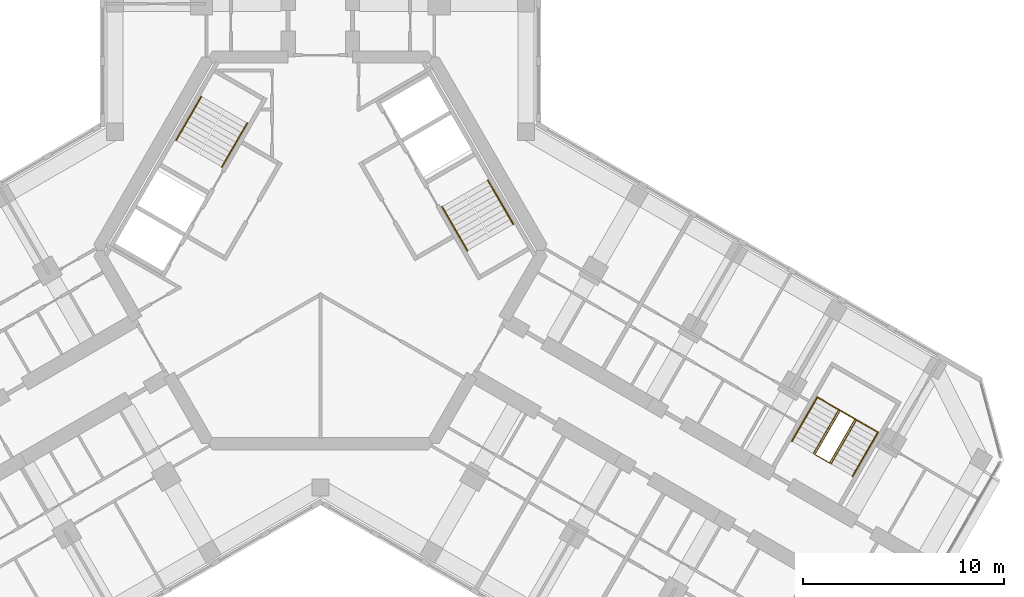
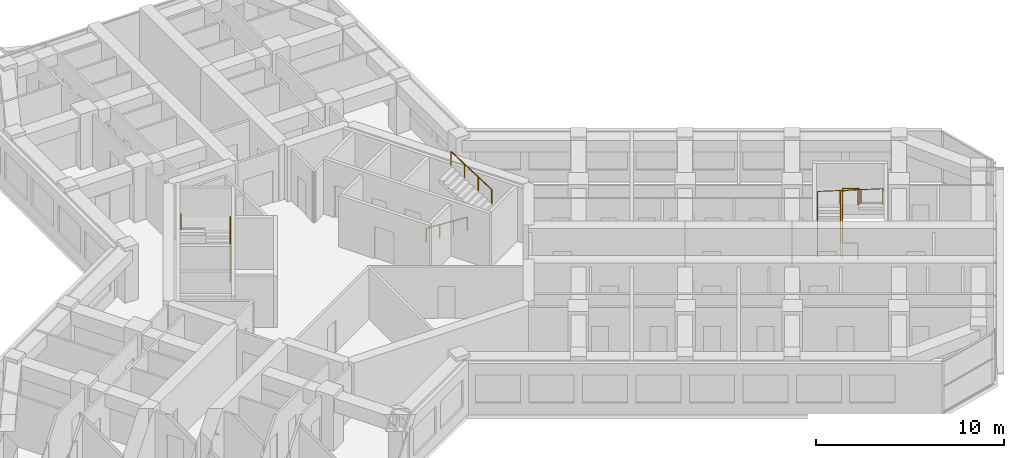
# One storey, part 16 of 16: 7 railings.
"""IFC4 building model written with IfcOpenShell, lengths in metres."""

from ifc_helpers import new_model, si_unit, direction, frame, origin, origin_2d, place, context, subcontext, project, spatial, circle, extrude, material, type_object, element, save


model = new_model("IFC4")

# Units and contexts
model_context = context("Model", 3, precision=1e-05, world=origin(), true_north=direction((0.0, 1.0)))
body_context = subcontext(model_context, "Body", "Model", "MODEL_VIEW")
ifc_project = project(units=[si_unit("LENGTHUNIT", "METRE"), si_unit("AREAUNIT", "SQUARE_METRE"), si_unit("VOLUMEUNIT", "CUBIC_METRE"), si_unit("PLANEANGLEUNIT", "RADIAN"), si_unit("MASSUNIT", "GRAM", prefix="KILO")], contexts=[model_context])

# Site, building, storey
site_placement = place(None, origin())
site = spatial("IfcSite", under=ifc_project, at=site_placement, CompositionType="ELEMENT")
building_placement = place(site_placement, origin())
building = spatial("IfcBuilding", under=site, at=building_placement, Name="Kosmar Iwan School Tower", CompositionType="ELEMENT")
storey_placement = place(building_placement, frame((0.0, 0.0, 253.199951171875)))
storey = spatial("IfcBuildingStorey", under=building, at=storey_placement, Name="L64", CompositionType="ELEMENT", Elevation=253.199951171875)

# Railings
ifc_material_1 = material(Name="Black steel", Category="steel")
railing_type_1 = type_object("IfcRailingType", Name="Stair handrail 900", PredefinedType="HANDRAIL", material=ifc_material_1)
railing_1_placement = place(storey_placement, frame((-4.89453125, 4.142333984375, 0.179931640625)))
element("IfcRailing", 1, at=railing_1_placement, inside=storey, type_object=railing_type_1, Name="Handrail ST2 flight 1", PredefinedType="HANDRAIL", context=body_context, shape_type="SweptSolid", body=[
    extrude(circle(Radius=0.02392578125, at=origin_2d()), frame((0.0, 0.0, 0.8759765625), z_axis=(0.420584145978, 0.728463801763, 0.540785970299), x_axis=(-0.866022637375, 0.500004791531, 0.0)), (0.0, 0.0, 1.0), 2.995849609375),
    extrude(circle(Radius=0.02099609375, at=origin_2d()), origin(), (0.0, 0.0, 1.0), 0.851806640625),
    extrude(circle(Radius=0.02099609375, at=origin_2d()), frame((0.419921875, 0.7275390625, 0.5400390625)), (0.0, 0.0, 1.0), 0.851806640625),
    extrude(circle(Radius=0.02099609375, at=origin_2d()), frame((0.840087890625, 1.454833984375, 1.080078125)), (0.0, 0.0, 1.0), 0.851806640625),
    extrude(circle(Radius=0.02099609375, at=origin_2d()), frame((1.260009765625, 2.182373046875, 1.6201171875)), (0.0, 0.0, 1.0), 0.851806640625),
])
railing_2_placement = place(storey_placement, frame((-5.912353515625, 7.6396484375, 1.97998046875)))
element("IfcRailing", 2, at=railing_2_placement, inside=storey, type_object=railing_type_1, Name="Handrail ST2 flight 2", PredefinedType="HANDRAIL", context=body_context, shape_type="SweptSolid", body=[
    extrude(circle(Radius=0.02392578125, at=origin_2d()), frame((0.0, 0.0, 0.8759765625), z_axis=(-0.420584145978, -0.728463801763, 0.540785970299), x_axis=(0.866022637375, -0.500004791531, 0.0)), (0.0, 0.0, 1.0), 2.995849609375),
    extrude(circle(Radius=0.02099609375, at=origin_2d()), origin(), (0.0, 0.0, 1.0), 0.851806640625),
    extrude(circle(Radius=0.02099609375, at=origin_2d()), frame((-0.419921875, -0.7275390625, 0.5400390625)), (0.0, 0.0, 1.0), 0.851806640625),
    extrude(circle(Radius=0.02099609375, at=origin_2d()), frame((-0.840087890625, -1.454833984375, 1.080078125)), (0.0, 0.0, 1.0), 0.851806640625),
    extrude(circle(Radius=0.02099609375, at=origin_2d()), frame((-1.260009765625, -2.182373046875, 1.6201171875)), (0.0, 0.0, 1.0), 0.851806640625),
])
railing_3_placement = place(storey_placement, frame((6.03466796875, 2.167724609375, 0.179931640625)))
element("IfcRailing", 3, at=railing_3_placement, inside=storey, type_object=railing_type_1, Name="Handrail ST1 flight 1", PredefinedType="HANDRAIL", context=body_context, shape_type="SweptSolid", body=[
    extrude(circle(Radius=0.02392578125, at=origin_2d()), frame((0.0, 0.0, 0.8759765625), z_axis=(0.420584145978, -0.728463801763, 0.540785970299), x_axis=(0.866022637375, 0.500004791531, 0.0)), (0.0, 0.0, 1.0), 2.995849609375),
    extrude(circle(Radius=0.02099609375, at=origin_2d()), origin(), (0.0, 0.0, 1.0), 0.851806640625),
    extrude(circle(Radius=0.02099609375, at=origin_2d()), frame((0.419921875, -0.7275390625, 0.5400390625)), (0.0, 0.0, 1.0), 0.851806640625),
    extrude(circle(Radius=0.02099609375, at=origin_2d()), frame((0.840087890625, -1.454833984375, 1.080078125)), (0.0, 0.0, 1.0), 0.851806640625),
    extrude(circle(Radius=0.02099609375, at=origin_2d()), frame((1.260009765625, -2.182373046875, 1.6201171875)), (0.0, 0.0, 1.0), 0.851806640625),
])
railing_4_placement = place(storey_placement, frame((9.572265625, 1.30029296875, 1.97998046875)))
element("IfcRailing", 4, at=railing_4_placement, inside=storey, type_object=railing_type_1, Name="Handrail ST1 flight 2", PredefinedType="HANDRAIL", context=body_context, shape_type="SweptSolid", body=[
    extrude(circle(Radius=0.02392578125, at=origin_2d()), frame((0.0, 0.0, 0.8759765625), z_axis=(-0.420584145978, 0.728463801763, 0.540785970299), x_axis=(-0.866022637375, -0.500004791531, 0.0)), (0.0, 0.0, 1.0), 2.995849609375),
    extrude(circle(Radius=0.02099609375, at=origin_2d()), origin(), (0.0, 0.0, 1.0), 0.851806640625),
    extrude(circle(Radius=0.02099609375, at=origin_2d()), frame((-0.419921875, 0.7275390625, 0.5400390625)), (0.0, 0.0, 1.0), 0.851806640625),
    extrude(circle(Radius=0.02099609375, at=origin_2d()), frame((-0.840087890625, 1.454833984375, 1.080078125)), (0.0, 0.0, 1.0), 0.851806640625),
    extrude(circle(Radius=0.02099609375, at=origin_2d()), frame((-1.260009765625, 2.182373046875, 1.6201171875)), (0.0, 0.0, 1.0), 0.851806640625),
])
railing_5_placement = place(storey_placement, frame((23.4091796875, -9.473876953125, 0.179931640625)))
element("IfcRailing", 5, at=railing_5_placement, inside=storey, type_object=railing_type_1, Name="Handrail stair WS3 L64 wall side", PredefinedType="HANDRAIL", context=body_context, shape_type="SweptSolid", body=[
    extrude(circle(Radius=0.02392578125, at=origin_2d()), frame((0.0, 0.0, 0.8759765625), z_axis=(0.420584145978, 0.728463801763, 0.540785970299), x_axis=(-0.866022637375, 0.500004791531, 0.0)), (0.0, 0.0, 1.0), 2.995849609375),
    extrude(circle(Radius=0.02392578125, at=origin_2d()), frame((1.260009765625, 2.182373046875, 2.49609375), z_axis=(0.864882007433, -0.499312601618, 0.051633701051), x_axis=(0.499979528911, 0.866037222451, 0.0)), (0.0, 0.0, 1.0), 3.48486328125),
    extrude(circle(Radius=0.02392578125, at=origin_2d()), frame((4.27392578125, 0.4423828125, 2.67578125), z_axis=(-0.420584145978, -0.728463801763, 0.540785970299), x_axis=(0.866022637375, -0.500004791531, 0.0)), (0.0, 0.0, 1.0), 2.995849609375),
    extrude(circle(Radius=0.02099609375, at=origin_2d()), origin(), (0.0, 0.0, 1.0), 0.851806640625),
    extrude(circle(Radius=0.02099609375, at=origin_2d()), frame((0.419921875, 0.7275390625, 0.5400390625)), (0.0, 0.0, 1.0), 0.851806640625),
    extrude(circle(Radius=0.02099609375, at=origin_2d()), frame((0.840087890625, 1.454833984375, 1.080078125)), (0.0, 0.0, 1.0), 0.851806640625),
    extrude(circle(Radius=0.02099609375, at=origin_2d()), frame((1.260009765625, 2.182373046875, 1.6201171875)), (0.0, 0.0, 1.0), 0.851806640625),
    extrude(circle(Radius=0.02099609375, at=origin_2d()), frame((2.2646484375, 1.602294921875, 1.68017578125)), (0.0, 0.0, 1.0), 0.851806640625),
    extrude(circle(Radius=0.02099609375, at=origin_2d()), frame((3.269287109375, 1.0224609375, 1.739990234375)), (0.0, 0.0, 1.0), 0.851806640625),
    extrude(circle(Radius=0.02099609375, at=origin_2d()), frame((4.27392578125, 0.4423828125, 1.800048828125)), (0.0, 0.0, 1.0), 0.851806640625),
    extrude(circle(Radius=0.02099609375, at=origin_2d()), frame((3.85400390625, -0.28515625, 2.340087890625)), (0.0, 0.0, 1.0), 0.851806640625),
    extrude(circle(Radius=0.02099609375, at=origin_2d()), frame((3.433837890625, -1.012451171875, 2.880126953125)), (0.0, 0.0, 1.0), 0.851806640625),
    extrude(circle(Radius=0.02099609375, at=origin_2d()), frame((3.013916015625, -1.739990234375, 3.420166015625)), (0.0, 0.0, 1.0), 0.851806640625),
])
railing_6_placement = place(storey_placement, frame((24.474609375, -10.0888671875, 0.179931640625)))
element("IfcRailing", 6, at=railing_6_placement, inside=storey, type_object=railing_type_1, Name="Handrail stair WS3 L64 well side", PredefinedType="HANDRAIL", context=body_context, shape_type="SweptSolid", body=[
    extrude(circle(Radius=0.02392578125, at=origin_2d()), frame((0.0, 0.0, 0.8759765625), z_axis=(0.420584145978, 0.728463801763, 0.540785970299), x_axis=(-0.866022637375, 0.500004791531, 0.0)), (0.0, 0.0, 1.0), 2.995849609375),
    extrude(circle(Radius=0.02392578125, at=origin_2d()), frame((1.260009765625, 2.182373046875, 2.49609375), z_axis=(0.852841519511, -0.492422867401, 0.173726976197), x_axis=(0.500026340207, 0.866010195725, 0.0)), (0.0, 0.0, 1.0), 1.03564453125),
    extrude(circle(Radius=0.02392578125, at=origin_2d()), frame((2.143310546875, 1.67236328125, 2.67578125), z_axis=(-0.420584145978, -0.728463801763, 0.540785970299), x_axis=(0.866022637375, -0.500004791531, 0.0)), (0.0, 0.0, 1.0), 2.995849609375),
    extrude(circle(Radius=0.02099609375, at=origin_2d()), origin(), (0.0, 0.0, 1.0), 0.851806640625),
    extrude(circle(Radius=0.02099609375, at=origin_2d()), frame((0.419921875, 0.7275390625, 0.5400390625)), (0.0, 0.0, 1.0), 0.851806640625),
    extrude(circle(Radius=0.02099609375, at=origin_2d()), frame((0.840087890625, 1.454833984375, 1.080078125)), (0.0, 0.0, 1.0), 0.851806640625),
    extrude(circle(Radius=0.02099609375, at=origin_2d()), frame((1.260009765625, 2.182373046875, 1.6201171875)), (0.0, 0.0, 1.0), 0.851806640625),
    extrude(circle(Radius=0.02099609375, at=origin_2d()), frame((2.143310546875, 1.67236328125, 1.800048828125)), (0.0, 0.0, 1.0), 0.851806640625),
    extrude(circle(Radius=0.02099609375, at=origin_2d()), frame((1.723388671875, 0.94482421875, 2.340087890625)), (0.0, 0.0, 1.0), 0.851806640625),
    extrude(circle(Radius=0.02099609375, at=origin_2d()), frame((1.30322265625, 0.217529296875, 2.880126953125)), (0.0, 0.0, 1.0), 0.851806640625),
    extrude(circle(Radius=0.02099609375, at=origin_2d()), frame((0.88330078125, -0.510009765625, 3.420166015625)), (0.0, 0.0, 1.0), 0.851806640625),
])
ifc_material_2 = material(Name="Black steel", Category="steel")
railing_type_2 = type_object("IfcRailingType", Name="Stair well guard 1100", PredefinedType="GUARDRAIL", material=ifc_material_2)
railing_7_placement = place(storey_placement, frame((25.280029296875, -10.553955078125, 0.0)))
element("IfcRailing", 7, at=railing_7_placement, inside=storey, type_object=railing_type_2, Name="Stair WS3 L64 well guard", PredefinedType="GUARDRAIL", context=body_context, shape_type="SweptSolid", body=[
    extrude(circle(Radius=0.02392578125, at=origin_2d()), frame((0.0, 0.0, 1.076171875), z_axis=(-0.865962960534, 0.500108139288, 0.0), x_axis=(-0.500108139288, -0.865962960534, 0.0)), (0.0, 0.0, 1.0), 0.840087890625),
    extrude(circle(Radius=0.02392578125, at=origin_2d()), frame((-0.7275390625, 0.420166015625, 1.076171875), z_axis=(0.40686665399, 0.704704712268, 0.58124933925), x_axis=(-0.866022637375, 0.500004791531, 0.0)), (0.0, 0.0, 1.0), 3.096923828125),
    extrude(circle(Radius=0.02392578125, at=origin_2d()), frame((0.532470703125, 2.6025390625, 2.8759765625), z_axis=(0.865890253765, -0.500234013672, 0.0), x_axis=(0.500234013672, 0.865890253765, 0.0)), (0.0, 0.0, 1.0), 0.83984375),
    extrude(circle(Radius=0.02392578125, at=origin_2d()), frame((1.259765625, 2.182373046875, 2.8759765625), z_axis=(-0.406800866334, -0.70472731476, 0.58126798207), x_axis=(0.866064587494, -0.499932125682, 0.0)), (0.0, 0.0, 1.0), 3.0966796875),
    extrude(circle(Radius=0.02099609375, at=origin_2d()), origin(), (0.0, 0.0, 1.0), 1.052001953125),
    extrude(circle(Radius=0.02099609375, at=origin_2d()), frame((-0.7275390625, 0.420166015625, 0.0)), (0.0, 0.0, 1.0), 1.052001953125),
    extrude(circle(Radius=0.02099609375, at=origin_2d()), frame((-0.3076171875, 1.147705078125, 0.60009765625)), (0.0, 0.0, 1.0), 1.052001953125),
    extrude(circle(Radius=0.02099609375, at=origin_2d()), frame((0.112548828125, 1.875, 1.199951171875)), (0.0, 0.0, 1.0), 1.052001953125),
    extrude(circle(Radius=0.02099609375, at=origin_2d()), frame((0.532470703125, 2.6025390625, 1.800048828125)), (0.0, 0.0, 1.0), 1.052001953125),
    extrude(circle(Radius=0.02099609375, at=origin_2d()), frame((1.259765625, 2.182373046875, 1.800048828125)), (0.0, 0.0, 1.0), 1.052001953125),
    extrude(circle(Radius=0.02099609375, at=origin_2d()), frame((0.83984375, 1.454833984375, 2.400146484375)), (0.0, 0.0, 1.0), 1.052001953125),
    extrude(circle(Radius=0.02099609375, at=origin_2d()), frame((0.419921875, 0.7275390625, 3.0)), (0.0, 0.0, 1.0), 1.052001953125),
    extrude(circle(Radius=0.02099609375, at=origin_2d()), frame((0.0, 0.0, 3.60009765625)), (0.0, 0.0, 1.0), 1.052001953125),
])

save(model, "model.ifc")
